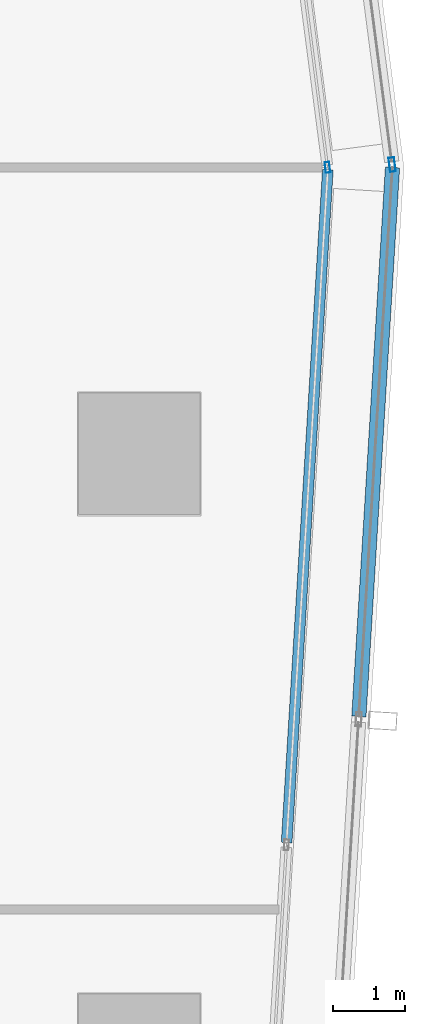
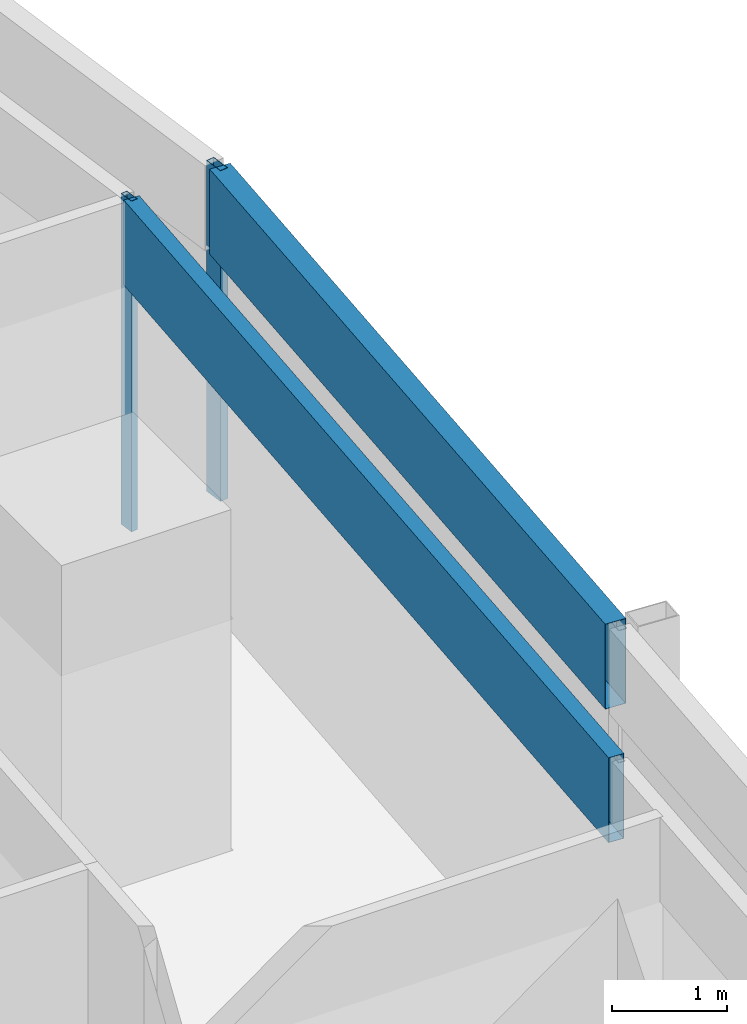
# One storey, part 25 of 40: 4 members, 4 elements without a shape of their own.
"""IFC4 building model written with IfcOpenShell, lengths in metres."""

from ifc_helpers import new_model, si_unit, direction, frame, origin, origin_2d, place, context, subcontext, project, spatial, hollow_rectangle, extrude, material, material_profile, profile_set, type_object, element, aggregate, save


model = new_model("IFC4")

# Units and contexts
model_context = context("Model", 3, precision=1e-05, world=origin(), true_north=direction((0.0, 1.0)))
body_context = subcontext(model_context, "Body", "Model", "MODEL_VIEW")
ifc_project = project(units=[si_unit("LENGTHUNIT", "METRE"), si_unit("AREAUNIT", "SQUARE_METRE"), si_unit("VOLUMEUNIT", "CUBIC_METRE"), si_unit("PLANEANGLEUNIT", "RADIAN"), si_unit("MASSUNIT", "GRAM", prefix="KILO")], contexts=[model_context])

# Site, building, storey
site_placement = place(None, origin())
site = spatial("IfcSite", under=ifc_project, at=site_placement, CompositionType="ELEMENT")
building_placement = place(site_placement, origin())
building = spatial("IfcBuilding", under=site, at=building_placement, Name="Rekha Terrace Tower", CompositionType="ELEMENT")
storey_placement = place(building_placement, frame((0.0, 0.0, 117.800048828125)))
storey = spatial("IfcBuildingStorey", under=building, at=storey_placement, Name="L29", CompositionType="ELEMENT", Elevation=117.800048828125)

# Curtain wall, member
ifc_material_1 = material(Name="Aluminium framing", Category="aluminium")
curtain_wall_type_1 = type_object("IfcCurtainWallType", Name="CW1 double skin inner glazing", PredefinedType="USERDEFINED", material=ifc_material_1)
curtain_wall_1_placement = place(storey_placement, origin())
curtain_wall_1 = element("IfcCurtainWall", 1, at=curtain_wall_1_placement, inside=storey, type_object=curtain_wall_type_1, Name="CW1 double skin inner glazing", ObjectType="DOUBLE SKIN INNER GLAZING", PredefinedType="USERDEFINED")
ifc_material_2 = material(Name="Aluminium mullion section", Category="aluminium")
ifc_material_profile_1 = material_profile(ifc_material_2, hollow_rectangle(XDim=0.06494140625, YDim=0.14990234375, WallThickness=0.00390625, at=origin_2d()), Name="AL RHS 65x150")
ifc_profile_set_1 = profile_set([ifc_material_profile_1], Name="Aluminium mullion section")
member_type_1 = type_object("IfcMemberType", Name="CW1 mullion RHS 65 x 150", PredefinedType="MULLION", material=ifc_profile_set_1)
member_1_placement = place(storey_placement, frame((69.83154296875, 46.00390625, 0.0), z_axis=(0.0, 0.0, 1.0), x_axis=(-0.991629186237, -0.129118383675, 0.0)))
member_1 = element("IfcMember", 2, at=member_1_placement, type_object=member_type_1, Name="CW1 mullion 1", PredefinedType="MULLION", context=body_context, shape_type="SweptSolid", body=[
    extrude(hollow_rectangle(XDim=0.06494140625, YDim=0.14990234375, WallThickness=0.00390625, at=origin_2d()), origin(), (0.0, 0.0, 1.0), 3.5),
])
aggregate(curtain_wall_1, [member_1])

curtain_wall_2_placement = place(storey_placement, origin())
curtain_wall_2 = element("IfcCurtainWall", 3, at=curtain_wall_2_placement, inside=storey, type_object=curtain_wall_type_1, Name="CW1 double skin inner glazing", ObjectType="DOUBLE SKIN INNER GLAZING", PredefinedType="USERDEFINED")
ifc_material_3 = material(Name="Insulated aluminium spandrel box", Category="aluminium")
ifc_material_profile_2 = material_profile(ifc_material_3, hollow_rectangle(XDim=0.14990234375, YDim=0.89990234375, WallThickness=0.0029296875, at=origin_2d()), Name="AL SPANDREL BOX 150x900")
ifc_profile_set_2 = profile_set([ifc_material_profile_2], Name="Insulated aluminium spandrel box")
member_type_2 = type_object("IfcMemberType", Name="CW1 spandrel transom 150 x 900", PredefinedType="USERDEFINED", material=ifc_profile_set_2)
member_2_placement = place(storey_placement, frame((69.259765625, 36.569091796875, 3.050048828125), z_axis=(0.061137463969, 0.998129355594, 0.0), x_axis=(-0.998129355594, 0.061137463969, 0.0)))
member_2 = element("IfcMember", 4, at=member_2_placement, type_object=member_type_2, Name="CW1 spandrel transom 3", ObjectType="TRANSOM", PredefinedType="USERDEFINED", context=body_context, shape_type="SweptSolid", body=[
    extrude(hollow_rectangle(XDim=0.14990234375, YDim=0.89990234375, WallThickness=0.0029296875, at=origin_2d()), origin(), (0.0, 0.0, 1.0), 9.420166015625),
])
aggregate(curtain_wall_2, [member_2])

curtain_wall_type_2 = type_object("IfcCurtainWallType", Name="CW2 double skin outer glazing", PredefinedType="USERDEFINED", material=ifc_material_1)
curtain_wall_3_placement = place(storey_placement, origin())
curtain_wall_3 = element("IfcCurtainWall", 5, at=curtain_wall_3_placement, inside=storey, type_object=curtain_wall_type_2, Name="CW2 double skin outer glazing", ObjectType="DOUBLE SKIN OUTER GLAZING", PredefinedType="USERDEFINED")
ifc_material_profile_3 = material_profile(ifc_material_2, hollow_rectangle(XDim=0.080078125, YDim=0.199951171875, WallThickness=0.00390625, at=origin_2d()), Name="AL RHS 80x200")
ifc_profile_set_3 = profile_set([ifc_material_profile_3], Name="Aluminium mullion section")
member_type_3 = type_object("IfcMemberType", Name="CW2 mullion RHS 80 x 200", PredefinedType="MULLION", material=ifc_profile_set_3)
member_3_placement = place(storey_placement, frame((70.734130859375, 46.042236328125, 0.0), z_axis=(0.0, 0.0, 1.0), x_axis=(-0.991629186244, -0.129118383623, 0.0)))
member_3 = element("IfcMember", 6, at=member_3_placement, type_object=member_type_3, Name="CW2 mullion 1", PredefinedType="MULLION", context=body_context, shape_type="SweptSolid", body=[
    extrude(hollow_rectangle(XDim=0.080078125, YDim=0.199951171875, WallThickness=0.00390625, at=origin_2d()), origin(), (0.0, 0.0, 1.0), 3.5),
])
aggregate(curtain_wall_3, [member_3])

curtain_wall_4_placement = place(storey_placement, origin())
curtain_wall_4 = element("IfcCurtainWall", 7, at=curtain_wall_4_placement, inside=storey, type_object=curtain_wall_type_2, Name="CW2 double skin outer glazing", ObjectType="DOUBLE SKIN OUTER GLAZING", PredefinedType="USERDEFINED")
ifc_material_profile_4 = material_profile(ifc_material_3, hollow_rectangle(XDim=0.199951171875, YDim=0.89990234375, WallThickness=0.0029296875, at=origin_2d()), Name="AL SPANDREL BOX 200x900")
ifc_profile_set_4 = profile_set([ifc_material_profile_4], Name="Insulated aluminium spandrel box")
member_type_4 = type_object("IfcMemberType", Name="CW2 spandrel transom 200 x 900", PredefinedType="USERDEFINED", material=ifc_profile_set_4)
member_4_placement = place(storey_placement, frame((70.269287109375, 38.330322265625, 3.050048828125), z_axis=(0.061142352683, 0.998129056139, 0.0), x_axis=(-0.998129056139, 0.061142352683, 0.0)))
member_4 = element("IfcMember", 8, at=member_4_placement, type_object=member_type_4, Name="CW2 spandrel transom 4", ObjectType="TRANSOM", PredefinedType="USERDEFINED", context=body_context, shape_type="SweptSolid", body=[
    extrude(hollow_rectangle(XDim=0.199951171875, YDim=0.89990234375, WallThickness=0.0029296875, at=origin_2d()), origin(), (0.0, 0.0, 1.0), 7.6865234375),
])
aggregate(curtain_wall_4, [member_4])

save(model, "model.ifc")
